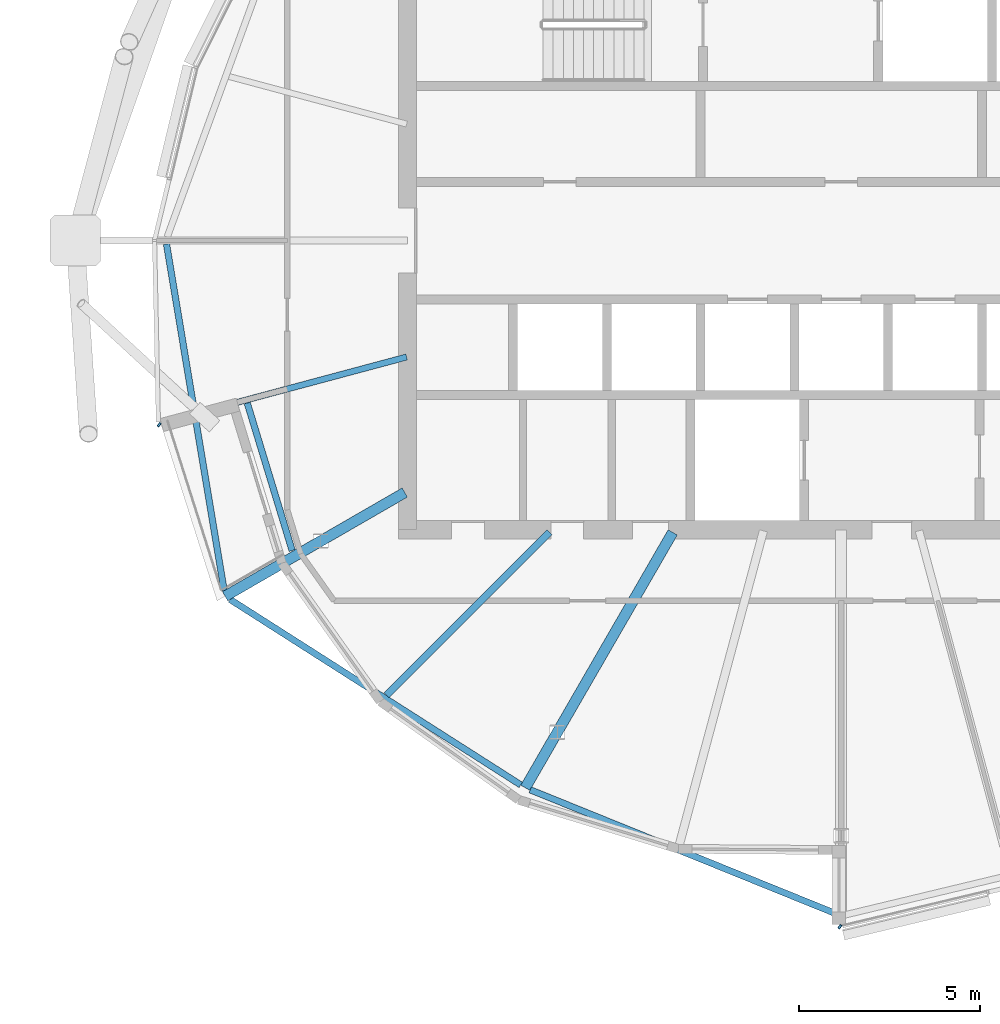
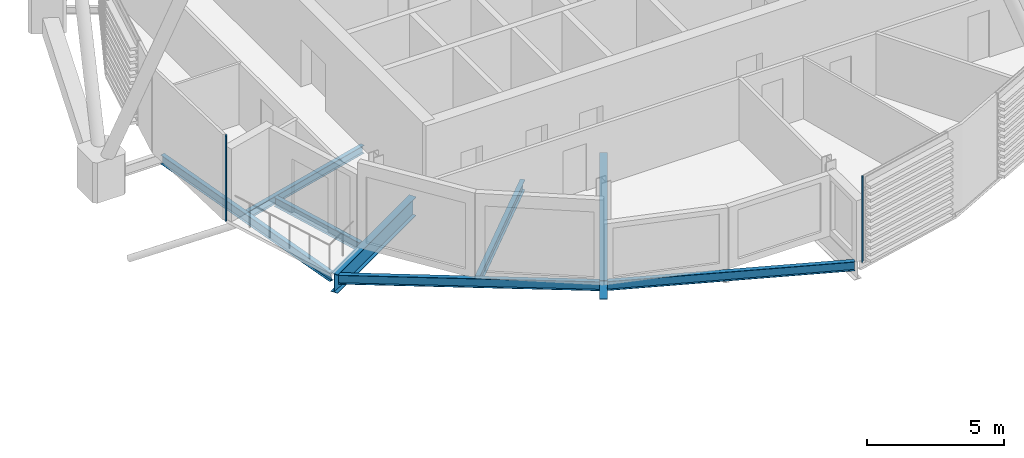
# One storey, part 10 of 31: 8 beams, 2 members, 1 element without a shape of its own.
"""IFC4 building model written with IfcOpenShell, lengths in metres."""

from ifc_helpers import new_model, si_unit, direction, frame, origin, origin_2d, place, context, subcontext, project, spatial, rectangle, i_section, extrude, material, material_profile, profile_set, type_object, element, aggregate, save


model = new_model("IFC4")

# Units and contexts
model_context = context("Model", 3, precision=1e-05, world=origin(), true_north=direction((0.0, 1.0)))
body_context = subcontext(model_context, "Body", "Model", "MODEL_VIEW")
ifc_project = project(units=[si_unit("LENGTHUNIT", "METRE"), si_unit("AREAUNIT", "SQUARE_METRE"), si_unit("VOLUMEUNIT", "CUBIC_METRE"), si_unit("PLANEANGLEUNIT", "RADIAN"), si_unit("MASSUNIT", "GRAM", prefix="KILO")], contexts=[model_context])

# Site, building, storey
site_placement = place(None, origin())
site = spatial("IfcSite", under=ifc_project, at=site_placement, CompositionType="ELEMENT")
building_placement = place(site_placement, origin())
building = spatial("IfcBuilding", under=site, at=building_placement, Name="Rimbun Link Towers", CompositionType="ELEMENT")
storey_placement = place(building_placement, frame((0.0, 0.0, 244.699951171875)))
storey = spatial("IfcBuildingStorey", under=building, at=storey_placement, Name="L60", CompositionType="ELEMENT", Elevation=244.699951171875)

# Curtain wall, members
ifc_material_1 = material(Name="Aluminium 6063-T6 and low-iron glass", Category="aluminium")
curtain_wall_type = type_object("IfcCurtainWallType", Name="CW1-Z4 unitised vision wall (zone 4)", PredefinedType="NOTDEFINED", material=ifc_material_1)
curtain_wall_placement = place(storey_placement, origin())
curtain_wall = element("IfcCurtainWall", 1, at=curtain_wall_placement, inside=storey, type_object=curtain_wall_type, Name="CW1 L60 T2", PredefinedType="NOTDEFINED")
ifc_material_2 = material(Name="Aluminium 6063-T6", Category="aluminium")
ifc_material_profile_1 = material_profile(ifc_material_2, rectangle(XDim=0.1201171875, YDim=0.06005859375, at=origin_2d()), Name="MULLION 60X120")
ifc_profile_set_1 = profile_set([ifc_material_profile_1], Name="Aluminium 6063-T6")
member_type = type_object("IfcMemberType", Name="CW1 mullion 60X120", PredefinedType="MULLION", material=ifc_profile_set_1)
member_1_placement = place(storey_placement, frame((12.881103515625, -5.09423828125, 0.0), z_axis=(0.0, 0.0, 1.0), x_axis=(-0.600371695209, -0.799721093627, 0.0)))
member_1 = element("IfcMember", 2, at=member_1_placement, type_object=member_type, Name="CW1 mullion", PredefinedType="MULLION", context=body_context, shape_type="SweptSolid", body=[
    extrude(rectangle(XDim=0.1201171875, YDim=0.06005859375, at=origin_2d()), origin(), (0.0, 0.0, 1.0), 3.800048828125),
])
member_2_placement = place(storey_placement, frame((31.712890625, -18.986328125, 0.0), z_axis=(0.0, 0.0, 1.0), x_axis=(-0.619433344122, -0.785049254627, 0.0)))
member_2 = element("IfcMember", 3, at=member_2_placement, type_object=member_type, Name="CW1 mullion", PredefinedType="MULLION", context=body_context, shape_type="SweptSolid", body=[
    extrude(rectangle(XDim=0.1201171875, YDim=0.06005859375, at=origin_2d()), origin(), (0.0, 0.0, 1.0), 3.800048828125),
])
aggregate(curtain_wall, [member_1, member_2])

# Beams
ifc_material_3 = material(Name="Steel S355J2", Category="steel")
ifc_material_profile_2 = material_profile(ifc_material_3, i_section(OverallWidth=0.17138671875, OverallDepth=0.35498046875, WebThickness=0.00732421875, FlangeThickness=0.011474609375, at=origin_2d()), Name="UB 356x171x51")
ifc_profile_set_2 = profile_set([ifc_material_profile_2], Name="Steel S355J2")
beam_type_1 = type_object("IfcBeamType", Name="UB 356x171x51", PredefinedType="BEAM", material=ifc_profile_set_2)
beam_1_placement = place(storey_placement, frame((19.726806640625, -3.2216796875, -0.3173828125), z_axis=(-0.9659367511, -0.25877826971, 0.0), x_axis=(0.25877826971, -0.9659367511, 0.0)))
element("IfcBeam", 4, at=beam_1_placement, inside=storey, type_object=beam_type_1, Name="Radial beam T2 L60 10", PredefinedType="BEAM", context=body_context, shape_type="SweptSolid", body=[
    extrude(i_section(OverallWidth=0.17138671875, OverallDepth=0.35498046875, WebThickness=0.00732421875, FlangeThickness=0.011474609375, at=origin_2d()), origin(), (0.0, 0.0, 1.0), 5.978515625),
])
ifc_material_4 = material(Name="Steel S355J2", Category="steel")
ifc_material_profile_3 = material_profile(ifc_material_4, i_section(OverallWidth=0.177978515625, OverallDepth=0.406494140625, WebThickness=0.0078125, FlangeThickness=0.0126953125, at=origin_2d()), Name="UB 406x178x60")
ifc_profile_set_3 = profile_set([ifc_material_profile_3], Name="Steel S355J2")
beam_type_2 = type_object("IfcBeamType", Name="UB 406x178x60", PredefinedType="BEAM", material=ifc_profile_set_3)
beam_2_placement = place(storey_placement, frame((13.083740234375, -0.095947265625, -0.34326171875), z_axis=(0.16405691081, -0.986450875622, 0.0), x_axis=(0.986450875622, 0.16405691081, 0.0)))
element("IfcBeam", 5, at=beam_2_placement, inside=storey, type_object=beam_type_2, Name="Edge beam T2 L60 09-11", PredefinedType="BEAM", context=body_context, shape_type="SweptSolid", body=[
    extrude(i_section(OverallWidth=0.177978515625, OverallDepth=0.406494140625, WebThickness=0.0078125, FlangeThickness=0.0126953125, at=origin_2d()), origin(), (0.0, 0.0, 1.0), 9.72216796875),
])
beam_3_placement = place(storey_placement, frame((15.31787109375, -4.495849609375, -0.34326171875), z_axis=(0.291204887304, -0.956660709766, 0.0), x_axis=(0.956660709766, 0.291204887304, 0.0)))
element("IfcBeam", 6, at=beam_3_placement, inside=storey, type_object=beam_type_2, Name="Edge beam T2 L60 10 recess", PredefinedType="BEAM", context=body_context, shape_type="SweptSolid", body=[
    extrude(i_section(OverallWidth=0.177978515625, OverallDepth=0.406494140625, WebThickness=0.0078125, FlangeThickness=0.0126953125, at=origin_2d()), origin(), (0.0, 0.0, 1.0), 4.265625),
])
beam_4_placement = place(storey_placement, frame((14.843994140625, -9.930419921875, -0.34326171875), z_axis=(0.843030622779, -0.537865567829, 0.0), x_axis=(0.537865567829, 0.843030622779, 0.0)))
element("IfcBeam", 7, at=beam_4_placement, inside=storey, type_object=beam_type_2, Name="Edge beam T2 L60 11-13", PredefinedType="BEAM", context=body_context, shape_type="SweptSolid", body=[
    extrude(i_section(OverallWidth=0.177978515625, OverallDepth=0.406494140625, WebThickness=0.0078125, FlangeThickness=0.0126953125, at=origin_2d()), origin(), (0.0, 0.0, 1.0), 9.537841796875),
])
beam_5_placement = place(storey_placement, frame((23.146728515625, -15.19580078125, -0.34326171875), z_axis=(0.926792178508, -0.375574570302, 0.0), x_axis=(0.375574570302, 0.926792178508, 0.0)))
element("IfcBeam", 8, at=beam_5_placement, inside=storey, type_object=beam_type_2, Name="Edge beam T2 L60 13-15", PredefinedType="BEAM", context=body_context, shape_type="SweptSolid", body=[
    extrude(i_section(OverallWidth=0.177978515625, OverallDepth=0.406494140625, WebThickness=0.0078125, FlangeThickness=0.0126953125, at=origin_2d()), origin(), (0.0, 0.0, 1.0), 9.116943359375),
])
ifc_material_5 = material(Name="Steel S355J2", Category="steel")
ifc_material_profile_4 = material_profile(ifc_material_5, i_section(OverallWidth=0.18994140625, OverallDepth=0.453369140625, WebThickness=0.008544921875, FlangeThickness=0.0126953125, at=origin_2d()), Name="UB 457x191x67")
ifc_profile_set_4 = profile_set([ifc_material_profile_4], Name="Steel S355J2")
beam_type_3 = type_object("IfcBeamType", Name="UB 457x191x67", PredefinedType="BEAM", material=ifc_profile_set_4)
beam_6_placement = place(storey_placement, frame((23.68212890625, -8.06787109375, -0.36669921875), z_axis=(-0.707106781187, -0.707106781187, 0.0), x_axis=(0.707106781187, -0.707106781187, 0.0)))
element("IfcBeam", 9, at=beam_6_placement, inside=storey, type_object=beam_type_3, Name="Radial beam T2 L60 12", PredefinedType="BEAM", context=body_context, shape_type="SweptSolid", body=[
    extrude(i_section(OverallWidth=0.18994140625, OverallDepth=0.453369140625, WebThickness=0.008544921875, FlangeThickness=0.0126953125, at=origin_2d()), origin(), (0.0, 0.0, 1.0), 6.38427734375),
])
ifc_material_6 = material(Name="Steel S355J2", Category="steel")
ifc_material_profile_5 = material_profile(ifc_material_6, i_section(OverallWidth=0.29248046875, OverallDepth=0.8408203125, WebThickness=0.0126953125, FlangeThickness=0.021728515625, at=origin_2d()), Name="UB 838x292x194")
ifc_profile_set_5 = profile_set([ifc_material_profile_5], Name="Steel S355J2")
beam_type_4 = type_object("IfcBeamType", Name="UB 838x292x194", PredefinedType="BEAM", material=ifc_profile_set_5)
beam_7_placement = place(storey_placement, frame((19.676025390625, -6.970947265625, -0.560302734375), z_axis=(-0.866028366393, -0.499994868576, 0.0), x_axis=(0.499994868576, -0.866028366393, 0.0)))
element("IfcBeam", 10, at=beam_7_placement, inside=storey, type_object=beam_type_4, Name="Radial beam T2 L60 11", PredefinedType="BEAM", context=body_context, shape_type="SweptSolid", body=[
    extrude(i_section(OverallWidth=0.29248046875, OverallDepth=0.8408203125, WebThickness=0.0126953125, FlangeThickness=0.021728515625, at=origin_2d()), origin(), (0.0, 0.0, 1.0), 5.74072265625),
])
beam_8_placement = place(storey_placement, frame((27.08837890625, -8.073974609375, -0.560302734375), z_axis=(-0.499984930112, -0.866034104213, 0.0), x_axis=(0.866034104213, -0.499984930112, 0.0)))
element("IfcBeam", 11, at=beam_8_placement, inside=storey, type_object=beam_type_4, Name="Radial beam T2 L60 13", PredefinedType="BEAM", context=body_context, shape_type="SweptSolid", body=[
    extrude(i_section(OverallWidth=0.29248046875, OverallDepth=0.8408203125, WebThickness=0.0126953125, FlangeThickness=0.021728515625, at=origin_2d()), origin(), (0.0, 0.0, 1.0), 8.158935546875),
])

save(model, "model.ifc")
